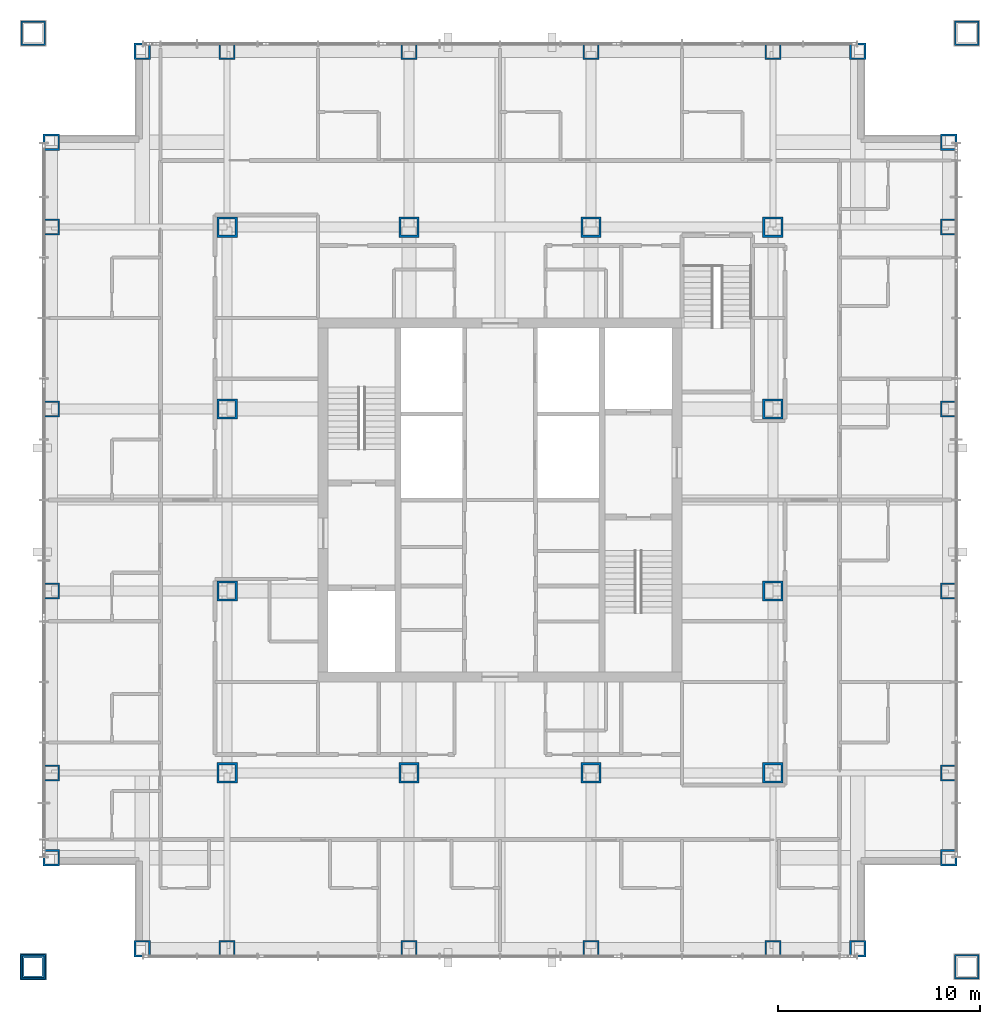
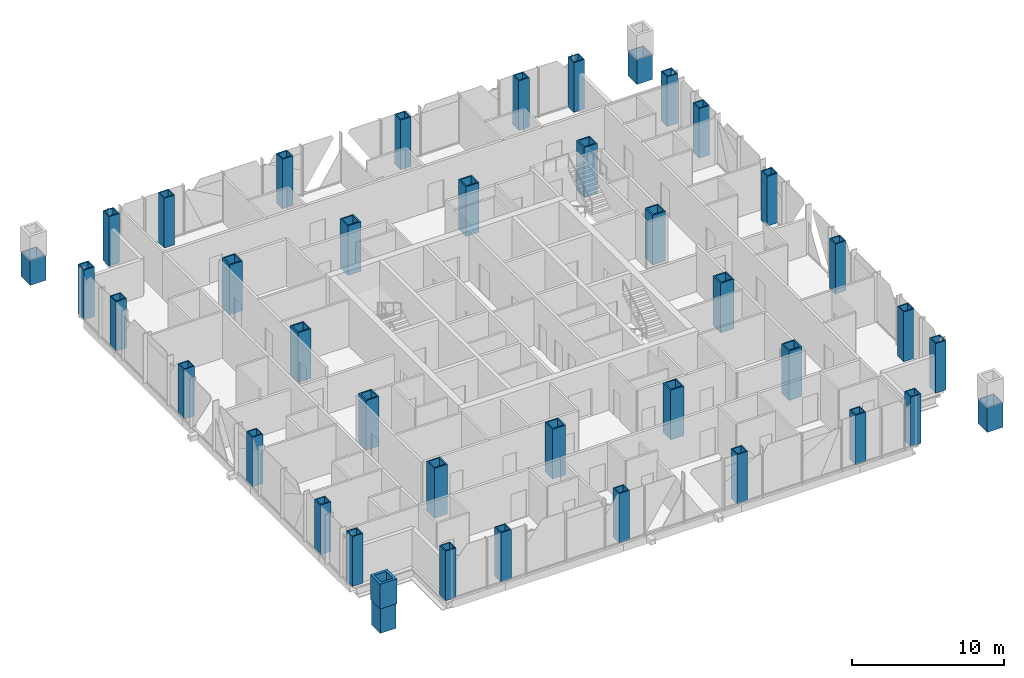
# One storey, part 1 of 25: 40 columns, 1 member.
"""IFC4 building model written with IfcOpenShell, lengths in metres."""

from ifc_helpers import new_model, si_unit, direction, frame, origin, origin_2d, place, context, subcontext, project, spatial, hollow_rectangle, extrude, material, material_profile, profile_set, type_object, element, save


model = new_model("IFC4")

# Units and contexts
model_context = context("Model", 3, precision=1e-05, world=origin(), true_north=direction((0.0, 1.0)))
body_context = subcontext(model_context, "Body", "Model", "MODEL_VIEW")
ifc_project = project(units=[si_unit("LENGTHUNIT", "METRE"), si_unit("AREAUNIT", "SQUARE_METRE"), si_unit("VOLUMEUNIT", "CUBIC_METRE"), si_unit("PLANEANGLEUNIT", "RADIAN"), si_unit("MASSUNIT", "GRAM", prefix="KILO")], contexts=[model_context])

# Site, building, storey
site_placement = place(None, origin())
site = spatial("IfcSite", under=ifc_project, at=site_placement, CompositionType="ELEMENT")
building_placement = place(site_placement, origin())
building = spatial("IfcBuilding", under=site, at=building_placement, Name="Malebo Sky Hospital", CompositionType="ELEMENT")
storey_placement = place(building_placement, frame((0.0, 0.0, 241.0)))
storey = spatial("IfcBuildingStorey", under=building, at=storey_placement, Name="L58", CompositionType="ELEMENT", Elevation=241.0)

# Columns
ifc_material = material(Name="Steel S460", Category="steel")
ifc_material_profile_1 = material_profile(ifc_material, hollow_rectangle(XDim=1.0, YDim=1.0, WallThickness=0.10009765625, at=origin_2d()), Name="BOX 1000x1000x100")
ifc_profile_set_1 = profile_set([ifc_material_profile_1], Name="Steel S460")
column_type_1 = type_object("IfcColumnType", Name="INNER COLUMN BOX 1000x1000x100", PredefinedType="COLUMN", material=ifc_profile_set_1)
for number, where, z_axis, x_axis, name in (
    (1, (46.5, 48.5, 0.0), (0.0, 0.0, 1.0), (1.0, 0.0, 0.0), "Column IC9 L58"),
    (2, (73.5, 48.5, 0.0), (0.0, 0.0, 1.0), (1.0, 0.0, 0.0), "Column IC9 L58"),
    (3, (73.5, 75.5, 0.0), (0.0, 0.0, 1.0), (1.0, 0.0, 0.0), "Column IC9 L58"),
    (4, (46.5, 75.5, 0.0), (0.0, 0.0, 1.0), (1.0, 0.0, 0.0), "Column IC9 L58"),
    (5, (55.5, 48.5, 0.0), (0.0, 0.0, 1.0), (1.0, 0.0, 0.0), "Column IC9 L58"),
    (6, (64.5, 48.5, 0.0), (0.0, 0.0, 1.0), (1.0, 0.0, 0.0), "Column IC9 L58"),
    (7, (55.5, 75.5, 0.0), (0.0, 0.0, 1.0), (1.0, 0.0, 0.0), "Column IC9 L58"),
    (8, (64.5, 75.5, 0.0), (0.0, 0.0, 1.0), (1.0, 0.0, 0.0), "Column IC9 L58"),
    (9, (46.5, 57.5, 0.0), (0.0, 0.0, 1.0), (1.0, 0.0, 0.0), "Column IC9 L58"),
    (10, (46.5, 66.5, 0.0), (0.0, 0.0, 1.0), (1.0, 0.0, 0.0), "Column IC9 L58"),
    (11, (73.5, 57.5, 0.0), (0.0, 0.0, 1.0), (1.0, 0.0, 0.0), "Column IC9 L58"),
    (12, (73.5, 66.5, 0.0), (0.0, 0.0, 1.0), (1.0, 0.0, 0.0), "Column IC9 L58"),
):
    element("IfcColumn", number, at=place(storey_placement, frame(where, z_axis=z_axis, x_axis=x_axis)), inside=storey, type_object=column_type_1, Name=name, PredefinedType="COLUMN", context=body_context, shape_type="SweptSolid", body=[
        extrude(hollow_rectangle(XDim=1.0, YDim=1.0, WallThickness=0.10009765625, at=origin_2d()), origin(), (0.0, 0.0, 1.0), 4.0),
    ])
ifc_material_profile_2 = material_profile(ifc_material, hollow_rectangle(XDim=1.199951171875, YDim=1.199951171875, WallThickness=0.070068359375, at=origin_2d()), Name="BOX 1200x1200x70")
ifc_profile_set_2 = profile_set([ifc_material_profile_2], Name="Steel S460")
column_type_2 = type_object("IfcColumnType", Name="MEGA COLUMN BOX 1200x1200x70", PredefinedType="COLUMN", material=ifc_profile_set_2)
for number, where, z_axis, x_axis, name in (
    (13, (36.89990234375, 38.89990234375, 0.0), (0.0, 0.0, 1.0), (1.0, 0.0, 0.0), "Mega column SW L58"),
    (14, (83.10009765625, 38.89990234375, 0.0), (0.0, 0.0, 1.0), (1.0, 0.0, 0.0), "Mega column SE L58"),
    (15, (83.10009765625, 85.10009765625, 0.0), (0.0, 0.0, 1.0), (1.0, 0.0, 0.0), "Mega column NE L58"),
    (16, (36.89990234375, 85.10009765625, 0.0), (0.0, 0.0, 1.0), (1.0, 0.0, 0.0), "Mega column NW L58"),
):
    element("IfcColumn", number, at=place(storey_placement, frame(where, z_axis=z_axis, x_axis=x_axis)), inside=storey, type_object=column_type_2, Name=name, PredefinedType="COLUMN", context=body_context, shape_type="SweptSolid", body=[
        extrude(hollow_rectangle(XDim=1.199951171875, YDim=1.199951171875, WallThickness=0.070068359375, at=origin_2d()), origin(), (0.0, 0.0, 1.0), 2.0),
    ])
ifc_material_profile_3 = material_profile(ifc_material, hollow_rectangle(XDim=0.800048828125, YDim=0.800048828125, WallThickness=0.080078125, at=origin_2d()), Name="BOX 800x800x80")
ifc_profile_set_3 = profile_set([ifc_material_profile_3], Name="Steel S460")
column_type_3 = type_object("IfcColumnType", Name="PERIMETER COLUMN BOX 800x800x80", PredefinedType="COLUMN", material=ifc_profile_set_3)
for number, where, z_axis, x_axis, name in (
    (17, (42.300048828125, 39.800048828125, 0.0), (0.0, 0.0, 1.0), (1.0, 0.0, 0.0), "Column PC7 L58"),
    (18, (42.300048828125, 84.199951171875, 0.0), (0.0, 0.0, 1.0), (1.0, 0.0, 0.0), "Column PC7 L58"),
    (19, (37.800048828125, 44.300048828125, 0.0), (0.0, 0.0, 1.0), (1.0, 0.0, 0.0), "Column PC7 L58"),
    (20, (82.199951171875, 44.300048828125, 0.0), (0.0, 0.0, 1.0), (1.0, 0.0, 0.0), "Column PC7 L58"),
    (21, (46.5, 39.800048828125, 0.0), (0.0, 0.0, 1.0), (1.0, 0.0, 0.0), "Column PC7 L58"),
    (22, (46.5, 84.199951171875, 0.0), (0.0, 0.0, 1.0), (1.0, 0.0, 0.0), "Column PC7 L58"),
    (23, (37.800048828125, 48.5, 0.0), (0.0, 0.0, 1.0), (1.0, 0.0, 0.0), "Column PC7 L58"),
    (24, (82.199951171875, 48.5, 0.0), (0.0, 0.0, 1.0), (1.0, 0.0, 0.0), "Column PC7 L58"),
    (25, (55.5, 39.800048828125, 0.0), (0.0, 0.0, 1.0), (1.0, 0.0, 0.0), "Column PC7 L58"),
    (26, (55.5, 84.199951171875, 0.0), (0.0, 0.0, 1.0), (1.0, 0.0, 0.0), "Column PC7 L58"),
    (27, (37.800048828125, 57.5, 0.0), (0.0, 0.0, 1.0), (1.0, 0.0, 0.0), "Column PC7 L58"),
    (28, (82.199951171875, 57.5, 0.0), (0.0, 0.0, 1.0), (1.0, 0.0, 0.0), "Column PC7 L58"),
    (29, (64.5, 39.800048828125, 0.0), (0.0, 0.0, 1.0), (1.0, 0.0, 0.0), "Column PC7 L58"),
    (30, (64.5, 84.199951171875, 0.0), (0.0, 0.0, 1.0), (1.0, 0.0, 0.0), "Column PC7 L58"),
    (31, (37.800048828125, 66.5, 0.0), (0.0, 0.0, 1.0), (1.0, 0.0, 0.0), "Column PC7 L58"),
    (32, (82.199951171875, 66.5, 0.0), (0.0, 0.0, 1.0), (1.0, 0.0, 0.0), "Column PC7 L58"),
    (33, (73.5, 39.800048828125, 0.0), (0.0, 0.0, 1.0), (1.0, 0.0, 0.0), "Column PC7 L58"),
    (34, (73.5, 84.199951171875, 0.0), (0.0, 0.0, 1.0), (1.0, 0.0, 0.0), "Column PC7 L58"),
    (35, (37.800048828125, 75.5, 0.0), (0.0, 0.0, 1.0), (1.0, 0.0, 0.0), "Column PC7 L58"),
    (36, (82.199951171875, 75.5, 0.0), (0.0, 0.0, 1.0), (1.0, 0.0, 0.0), "Column PC7 L58"),
    (37, (77.699951171875, 39.800048828125, 0.0), (0.0, 0.0, 1.0), (1.0, 0.0, 0.0), "Column PC7 L58"),
    (38, (77.699951171875, 84.199951171875, 0.0), (0.0, 0.0, 1.0), (1.0, 0.0, 0.0), "Column PC7 L58"),
    (39, (37.800048828125, 79.699951171875, 0.0), (0.0, 0.0, 1.0), (1.0, 0.0, 0.0), "Column PC7 L58"),
    (40, (82.199951171875, 79.699951171875, 0.0), (0.0, 0.0, 1.0), (1.0, 0.0, 0.0), "Column PC7 L58"),
):
    element("IfcColumn", number, at=place(storey_placement, frame(where, z_axis=z_axis, x_axis=x_axis)), inside=storey, type_object=column_type_3, Name=name, PredefinedType="COLUMN", context=body_context, shape_type="SweptSolid", body=[
        extrude(hollow_rectangle(XDim=0.800048828125, YDim=0.800048828125, WallThickness=0.080078125, at=origin_2d()), origin(), (0.0, 0.0, 1.0), 4.0),
    ])

# Member
ifc_material_profile_4 = material_profile(ifc_material, hollow_rectangle(XDim=1.300048828125, YDim=1.300048828125, WallThickness=0.199951171875, at=origin_2d()), Name="BOX 1300x1300x200")
ifc_profile_set_4 = profile_set([ifc_material_profile_4], Name="Steel S460")
member_type = type_object("IfcMemberType", Name="MEGA COLUMN NODE BOX 1300x1300x200", PredefinedType="MEMBER", material=ifc_profile_set_4)
member_placement = place(storey_placement, frame((36.89990234375, 38.89990234375, 2.0), z_axis=(0.0, 0.0, 1.0), x_axis=(1.0, 0.0, 0.0)))
element("IfcMember", 41, at=member_placement, inside=storey, type_object=member_type, Name="Mega column node SW L58", PredefinedType="MEMBER", context=body_context, shape_type="SweptSolid", body=[
    extrude(hollow_rectangle(XDim=1.300048828125, YDim=1.300048828125, WallThickness=0.199951171875, at=origin_2d()), origin(), (0.0, 0.0, 1.0), 2.0),
])

save(model, "model.ifc")
